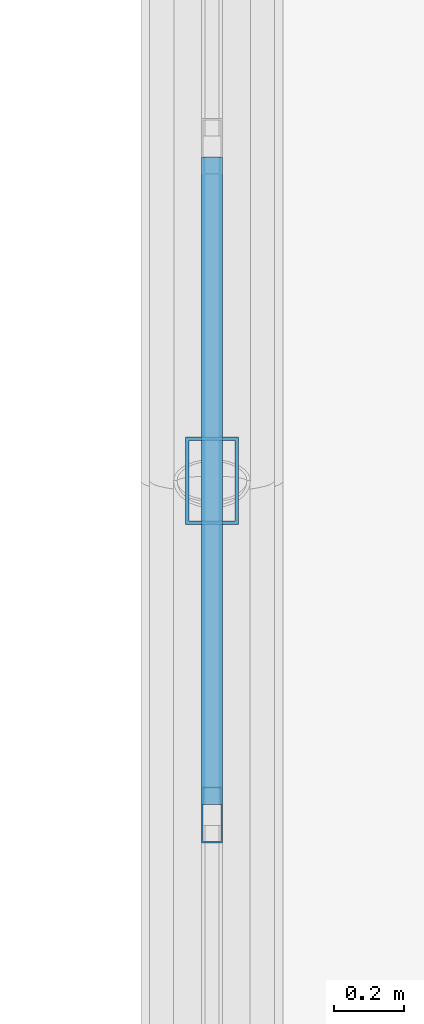
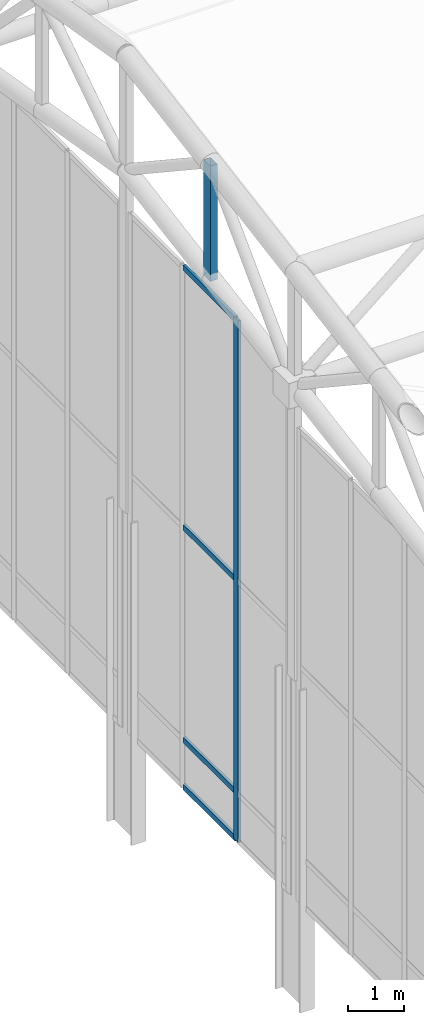
# One storey, part 81 of 239: 6 members, 1 element without a shape of its own.
"""IFC4 building model written with IfcOpenShell, lengths in metres."""

import ifcopenshell
import ifcopenshell.guid

model = None  # the IFC model being written
_history = None  # IfcOwnerHistory: only IFC2X3 demands one
_inside = {}  # id of a spatial element -> (the spatial element, [elements in it])
_under = {}  # id of a project, library or spatial element -> (it, [spatial elements below it])
_declared = {}  # id of a project -> (the project, [libraries it declares])
_typed = {}  # id of a type object -> (the type object, [elements of that type])
_made_of = {}  # id of a material, layer set ... -> (it, [elements and type objects made of it])


def new_model(schema):
    """Start an empty IFC model of exactly this schema.

    Asked for "IFC4X3", IfcOpenShell would pick the latest addendum, in which some entities
    have other attributes; the version numbers below select the first issue.
    IFC2X3 requires an IfcOwnerHistory on every rooted entity: one is made here for all.
    """
    global model, _history
    if schema == "IFC4X3":
        model = ifcopenshell.file(schema_version=(4, 3, 0, 0))
    else:
        model = ifcopenshell.file(schema=schema)
    _inside.clear()
    _under.clear()
    _declared.clear()
    _typed.clear()
    _made_of.clear()
    _history = None
    if model.schema == "IFC2X3":
        org = make("IfcOrganization", Name="unknown")
        user = make(
            "IfcPersonAndOrganization",
            ThePerson=make("IfcPerson", FamilyName="unknown"),
            TheOrganization=org,
        )
        app = make(
            "IfcApplication",
            ApplicationDeveloper=org,
            Version="unknown",
            ApplicationFullName="unknown",
            ApplicationIdentifier="unknown",
        )
        _history = make(
            "IfcOwnerHistory",
            OwningUser=user,
            OwningApplication=app,
            ChangeAction="ADDED",
            CreationDate=0,
        )
    return model


def make(cls, **values):
    """One entity of the class cls with the attributes given. An attribute that is None is left unset."""
    return model.create_entity(
        cls, **{name: value for name, value in values.items() if value is not None}
    )


def rooted(cls, **values):
    """An entity with a GlobalId (a new one), such as an element, a storey or a relation."""
    return make(cls, GlobalId=ifcopenshell.guid.new(), OwnerHistory=_history, **values)


def si_unit(unit_type, name, prefix=None):
    """IfcSIUnit, for example si_unit("LENGTHUNIT", "METRE", prefix="MILLI")."""
    return make("IfcSIUnit", UnitType=unit_type, Prefix=prefix, Name=name)


def assignment(units):
    """IfcUnitAssignment: the units of a project."""
    return None if units is None else make("IfcUnitAssignment", Units=units)


def point(xyz):
    """IfcCartesianPoint."""
    return None if xyz is None else make("IfcCartesianPoint", Coordinates=xyz)


def direction(xyz):
    """IfcDirection."""
    return None if xyz is None else make("IfcDirection", DirectionRatios=xyz)


def frame(location, z_axis=None, x_axis=None):
    """IfcAxis2Placement3D, a coordinate frame: its origin and axes. An axis left out is left unset."""
    return make(
        "IfcAxis2Placement3D",
        Location=point(location),
        Axis=direction(z_axis),
        RefDirection=direction(x_axis),
    )


def frame_2d(location, x_axis=None):
    """IfcAxis2Placement2D, a coordinate frame in the plane: its origin and x axis."""
    return make(
        "IfcAxis2Placement2D", Location=point(location), RefDirection=direction(x_axis)
    )


def origin():
    """The frame at (0, 0, 0) with its axes left unset."""
    return frame((0.0, 0.0, 0.0))


def origin_2d():
    """The frame at (0, 0) in the plane with its x axis left unset."""
    return frame_2d((0.0, 0.0))


def place(relative_to, where):
    """IfcLocalPlacement: puts the frame where relative to a parent placement (None: the world)."""
    return make(
        "IfcLocalPlacement", PlacementRelTo=relative_to, RelativePlacement=where
    )


def context(
    kind, dimensions, precision=None, world=None, true_north=None, identifier=None
):
    """IfcGeometricRepresentationContext, for example the 3D "Model" context."""
    return make(
        "IfcGeometricRepresentationContext",
        ContextIdentifier=identifier,
        ContextType=kind,
        CoordinateSpaceDimension=dimensions,
        Precision=precision,
        WorldCoordinateSystem=world,
        TrueNorth=true_north,
    )


def subcontext(parent, identifier, kind, view, scale=None):
    """IfcGeometricRepresentationSubContext, for example "Body" below "Model"."""
    return make(
        "IfcGeometricRepresentationSubContext",
        ContextIdentifier=identifier,
        ContextType=kind,
        ParentContext=parent,
        TargetScale=scale,
        TargetView=view,
    )


def project(units=None, contexts=None):
    """IfcProject with its units and contexts."""
    return rooted(
        "IfcProject",
        Name="project",
        RepresentationContexts=contexts,
        UnitsInContext=assignment(units),
    )


def spatial(cls, under=None, at=None, **own):
    """A site, building, storey or space (cls), placed at a placement, below another one or the project."""
    s = rooted(cls, ObjectPlacement=at, **own)
    if under is not None:
        _under.setdefault(under.id(), (under, []))[1].append(s)
    return s


def profile(cls, at=None, kind="AREA", **sizes):
    """A parametric profile (cls). Its sizes go by their IFC names, for example OverallWidth=200.0."""
    return make(cls, ProfileType=kind, Position=at, **sizes)


def hollow_rectangle(**sizes):
    """IfcRectangleHollowProfileDef."""
    return profile("IfcRectangleHollowProfileDef", **sizes)


def extrude(swept, where, along, depth):
    """IfcExtrudedAreaSolid: the profile swept, set in the frame where, extruded along a direction by depth."""
    return make(
        "IfcExtrudedAreaSolid",
        SweptArea=swept,
        Position=where,
        ExtrudedDirection=direction(along),
        Depth=depth,
    )


def shape(context_of_items, identifier, shape_type, items):
    """IfcShapeRepresentation: the items that make up one representation, for example the "Body"."""
    return make(
        "IfcShapeRepresentation",
        ContextOfItems=context_of_items,
        RepresentationIdentifier=identifier,
        RepresentationType=shape_type,
        Items=items,
    )


def material(Name=None, Category=None):
    """IfcMaterial."""
    return make("IfcMaterial", Name=Name, Category=Category)


def material_profile(
    of_material, cross_section, Name=None, Category=None, Priority=None
):
    """IfcMaterialProfile: a cross section and its material."""
    return make(
        "IfcMaterialProfile",
        Name=Name,
        Material=of_material,
        Profile=cross_section,
        Priority=Priority,
        Category=Category,
    )


def profile_set(profiles, Name=None, composite=None):
    """IfcMaterialProfileSet."""
    return make(
        "IfcMaterialProfileSet",
        Name=Name,
        MaterialProfiles=profiles,
        CompositeProfile=composite,
    )


def made_of(thing, what):
    """Note that an element or type object is made of a material, layer set ...; save() writes the relation."""
    if what is not None:
        _made_of.setdefault(what.id(), (what, []))[1].append(thing)
    return thing


def type_object(cls, material=None, **own):
    """A type object (cls), such as IfcWallType, which elements share."""
    return made_of(rooted(cls, **own), material)


def element(
    cls,
    number,
    at=None,
    inside=None,
    cuts=None,
    type_object=None,
    material=None,
    context=None,
    identifier="Body",
    shape_type=None,
    held_by="IfcProductDefinitionShape",
    body=None,
    shapes=None,
    **own,
):
    """One element of the class cls, such as IfcWall. Its Tag is "e" and its number.

    at: its placement. inside: the storey or other place that contains it. cuts: it is an
    opening in that element (IfcRelVoidsElement). A single representation is given by context,
    identifier, shape_type and body (its items); several are given by shapes. held_by: the class
    of the entity that holds the representations. save() writes the other relations.
    """
    e = rooted(cls, Tag="e%d" % number, ObjectPlacement=at, **own)
    if body is not None:
        shapes = [shape(context, identifier, shape_type, body)]
    if shapes is not None:
        e.Representation = make(held_by, Representations=shapes)
    if inside is not None:
        _inside.setdefault(inside.id(), (inside, []))[1].append(e)
    if cuts is not None:
        rooted(
            "IfcRelVoidsElement", RelatingBuildingElement=cuts, RelatedOpeningElement=e
        )
    if type_object is not None:
        _typed.setdefault(type_object.id(), (type_object, []))[1].append(e)
    return made_of(e, material)


def aggregate(whole, parts):
    """IfcRelAggregates: a whole, such as a stair, and the parts it consists of."""
    return rooted("IfcRelAggregates", RelatingObject=whole, RelatedObjects=parts)


def save(model, path):
    """Write the relations noted so far, then the file.

    IfcRelAggregates (storeys below a building ...), IfcRelContainedInSpatialStructure (elements
    in a storey), IfcRelDefinesByType, IfcRelAssociatesMaterial and IfcRelDeclares: one each for
    every whole, place, type object, material and project.
    """
    for whole, parts in _under.values():
        aggregate(whole, parts)
    for where, things in _inside.values():
        rooted(
            "IfcRelContainedInSpatialStructure",
            RelatedElements=things,
            RelatingStructure=where,
        )
    for kind, things in _typed.values():
        rooted("IfcRelDefinesByType", RelatedObjects=things, RelatingType=kind)
    for what, things in _made_of.values():
        rooted("IfcRelAssociatesMaterial", RelatedObjects=things, RelatingMaterial=what)
    for by, libraries in _declared.values():
        rooted("IfcRelDeclares", RelatingContext=by, RelatedDefinitions=libraries)
    model.write(path)


model = new_model("IFC4")

# Units and contexts
model_context = context("Model", 3, precision=1e-05, world=origin(), true_north=direction((0.0, 1.0)))
body_context = subcontext(model_context, "Body", "Model", "MODEL_VIEW")
ifc_project = project(units=[si_unit("LENGTHUNIT", "METRE"), si_unit("AREAUNIT", "SQUARE_METRE"), si_unit("VOLUMEUNIT", "CUBIC_METRE"), si_unit("PLANEANGLEUNIT", "RADIAN"), si_unit("MASSUNIT", "GRAM", prefix="KILO")], contexts=[model_context])

# Site, building, storey
site_placement = place(None, origin())
site = spatial("IfcSite", under=ifc_project, at=site_placement, CompositionType="ELEMENT")
building_placement = place(site_placement, origin())
building = spatial("IfcBuilding", under=site, at=building_placement, Name="Kaldris Quays Convention Centre", CompositionType="ELEMENT")
storey_placement = place(building_placement, frame((0.0, 0.0, 11.39990234375)))
storey = spatial("IfcBuildingStorey", under=building, at=storey_placement, Name="L02", CompositionType="ELEMENT", Elevation=11.39990234375)

# Curtain wall, members
ifc_material_1 = material(Name="Anodized aluminium AW-6060 and triple glazing", Category="aluminium")
curtain_wall_type = type_object("IfcCurtainWallType", Name="UNITISED CURTAIN WALL CW03", PredefinedType="NOTDEFINED", material=ifc_material_1)
curtain_wall_placement = place(storey_placement, origin())
curtain_wall = element("IfcCurtainWall", 1, at=curtain_wall_placement, inside=storey, type_object=curtain_wall_type, Name="L02 Unitised Curtain Wall CW03 219", PredefinedType="NOTDEFINED")
ifc_material_2 = material(Name="Anodized aluminium AW-6060", Category="aluminium")
ifc_material_profile_1 = material_profile(ifc_material_2, hollow_rectangle(XDim=0.06005859375, YDim=0.159912109375, WallThickness=0.00390625, at=origin_2d()), Name="RHS 160x60x4")
ifc_profile_set_1 = profile_set([ifc_material_profile_1], Name="Anodized aluminium AW-6060")
member_type_1 = type_object("IfcMemberType", Name="CURTAIN MULLION CWM1", PredefinedType="MULLION", material=ifc_profile_set_1)
member_1_placement = place(storey_placement, frame((20.0, 94.046630859375, 2.195068359375), z_axis=(0.0, 0.0, 1.0), x_axis=(-1.0, 0.0, 0.0)))
member_1 = element("IfcMember", 2, at=member_1_placement, type_object=member_type_1, Name="CW03 mullion 2", PredefinedType="MULLION", context=body_context, shape_type="SweptSolid", body=[
    extrude(hollow_rectangle(XDim=0.06005859375, YDim=0.159912109375, WallThickness=0.00390625, at=origin_2d()), origin(), (0.0, 0.0, 1.0), 11.341064453125),
])
ifc_material_profile_2 = material_profile(ifc_material_2, hollow_rectangle(XDim=0.06005859375, YDim=0.1201171875, WallThickness=0.00390625, at=origin_2d()), Name="RHS 120x60x4")
ifc_profile_set_2 = profile_set([ifc_material_profile_2], Name="Anodized aluminium AW-6060")
member_type_2 = type_object("IfcMemberType", Name="CURTAIN TRANSOM CWT1", PredefinedType="USERDEFINED", material=ifc_profile_set_2)
member_2_placement = place(storey_placement, frame((20.0, 94.07666015625, 2.22509765625), z_axis=(0.0, 1.0, 0.0), x_axis=(-1.0, 0.0, 0.0)))
member_2 = element("IfcMember", 3, at=member_2_placement, type_object=member_type_2, Name="CW03 transom 2.1", ObjectType="TRANSOM", PredefinedType="USERDEFINED", context=body_context, shape_type="SweptSolid", body=[
    extrude(hollow_rectangle(XDim=0.06005859375, YDim=0.1201171875, WallThickness=0.00390625, at=origin_2d()), origin(), (0.0, 0.0, 1.0), 1.8466796875),
])
member_3_placement = place(storey_placement, frame((20.0, 94.07666015625, 3.2451171875), z_axis=(0.0, 1.0, 0.0), x_axis=(-1.0, 0.0, 0.0)))
member_3 = element("IfcMember", 4, at=member_3_placement, type_object=member_type_2, Name="CW03 transom 2.2", ObjectType="TRANSOM", PredefinedType="USERDEFINED", context=body_context, shape_type="SweptSolid", body=[
    extrude(hollow_rectangle(XDim=0.06005859375, YDim=0.1201171875, WallThickness=0.00390625, at=origin_2d()), origin(), (0.0, 0.0, 1.0), 1.8466796875),
])
member_4_placement = place(storey_placement, frame((20.0, 94.07666015625, 7.864990234375), z_axis=(0.0, 1.0, 0.0), x_axis=(-1.0, 0.0, 0.0)))
member_4 = element("IfcMember", 5, at=member_4_placement, type_object=member_type_2, Name="CW03 transom 2.3", ObjectType="TRANSOM", PredefinedType="USERDEFINED", context=body_context, shape_type="SweptSolid", body=[
    extrude(hollow_rectangle(XDim=0.06005859375, YDim=0.1201171875, WallThickness=0.00390625, at=origin_2d()), origin(), (0.0, 0.0, 1.0), 1.8466796875),
])
member_5_placement = place(storey_placement, frame((20.0, 94.07666015625, 13.506103515625), z_axis=(0.0, 1.0, 0.0), x_axis=(-1.0, 0.0, 0.0)))
member_5 = element("IfcMember", 6, at=member_5_placement, type_object=member_type_2, Name="CW03 transom 2.4", ObjectType="TRANSOM", PredefinedType="USERDEFINED", context=body_context, shape_type="SweptSolid", body=[
    extrude(hollow_rectangle(XDim=0.06005859375, YDim=0.1201171875, WallThickness=0.00390625, at=origin_2d()), origin(), (0.0, 0.0, 1.0), 1.8466796875),
])
aggregate(curtain_wall, [member_1, member_2, member_3, member_4, member_5])

# Member
ifc_material_3 = material(Name="Steel S355J2H", Category="steel")
ifc_material_profile_3 = material_profile(ifc_material_3, hollow_rectangle(XDim=0.14990234375, YDim=0.25, WallThickness=0.010009765625, at=origin_2d()), Name="RHS 250x150x10")
ifc_profile_set_3 = profile_set([ifc_material_profile_3], Name="Steel S355J2H")
member_type_3 = type_object("IfcMemberType", Name="STRUCTURAL MEMBER TTV1", PredefinedType="POST", material=ifc_profile_set_3)
member_6_placement = place(storey_placement, frame((20.0, 95.0, 13.857666015625), z_axis=(0.0, 0.0, 1.0), x_axis=(1.0, 0.0, 0.0)))
element("IfcMember", 7, at=member_6_placement, inside=storey, type_object=member_type_3, Name="SF-V1 Space-Frame Post 14", PredefinedType="POST", context=body_context, shape_type="SweptSolid", body=[
    extrude(hollow_rectangle(XDim=0.14990234375, YDim=0.25, WallThickness=0.010009765625, at=origin_2d()), origin(), (0.0, 0.0, 1.0), 2.5),
])

save(model, "model.ifc")
